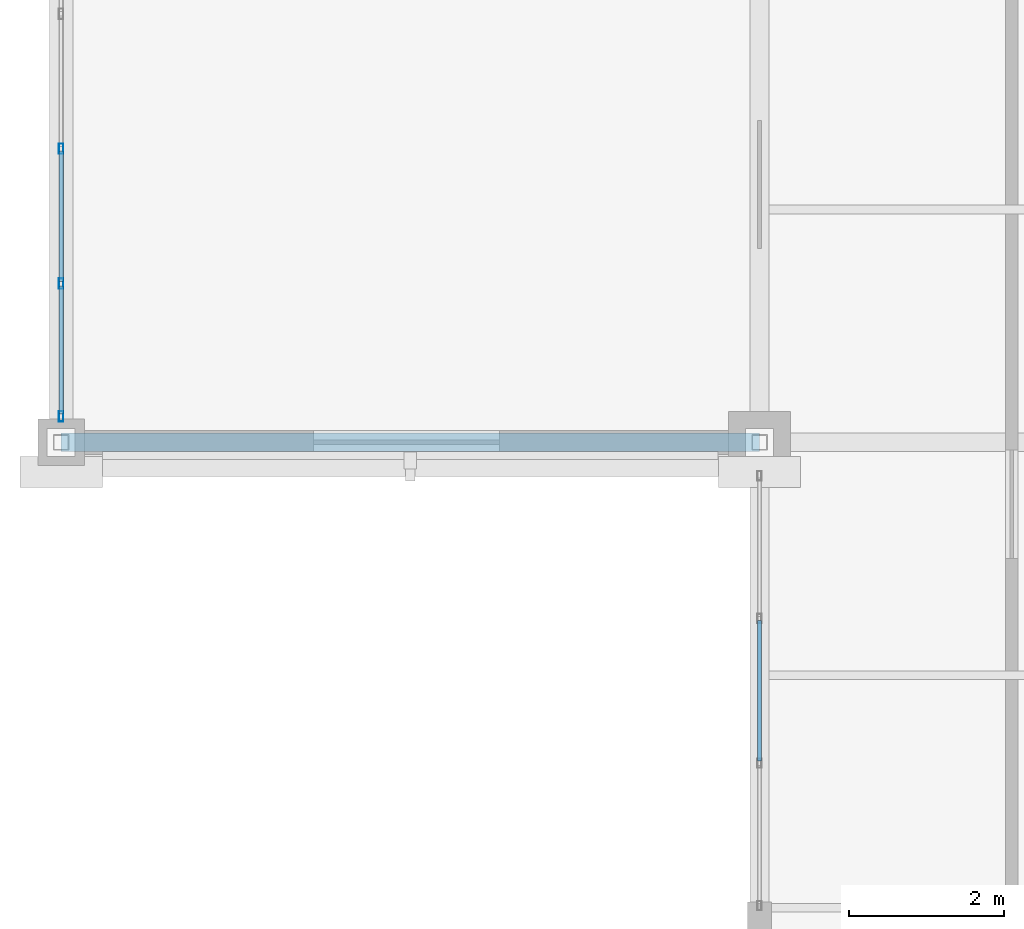
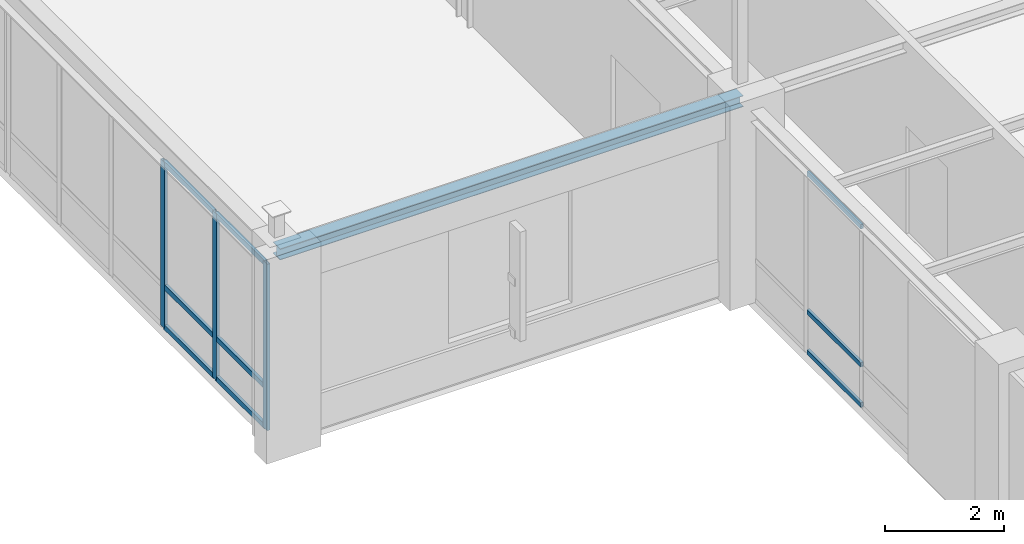
# One storey, part 6 of 36: 12 members, 1 beam, 2 elements without a shape of their own.
"""IFC4 building model written with IfcOpenShell, lengths in metres."""

from ifc_helpers import new_model, si_unit, direction, frame, origin, origin_2d, place, context, subcontext, project, spatial, hollow_rectangle, i_section, extrude, material, material_profile, profile_set, type_object, element, aggregate, save


model = new_model("IFC4")

# Units and contexts
model_context = context("Model", 3, precision=1e-05, world=origin(), true_north=direction((0.0, 1.0)))
body_context = subcontext(model_context, "Body", "Model", "MODEL_VIEW")
ifc_project = project(units=[si_unit("LENGTHUNIT", "METRE"), si_unit("AREAUNIT", "SQUARE_METRE"), si_unit("VOLUMEUNIT", "CUBIC_METRE"), si_unit("PLANEANGLEUNIT", "RADIAN"), si_unit("MASSUNIT", "GRAM", prefix="KILO")], contexts=[model_context])

# Site, building, storey
site_placement = place(None, origin())
site = spatial("IfcSite", under=ifc_project, at=site_placement, CompositionType="ELEMENT")
building_placement = place(site_placement, origin())
building = spatial("IfcBuilding", under=site, at=building_placement, Name="Lykobir Media Centre", CompositionType="ELEMENT")
storey_placement = place(building_placement, frame((0.0, 0.0, 27.60009765625)))
storey = spatial("IfcBuildingStorey", under=building, at=storey_placement, Name="L06", CompositionType="ELEMENT", Elevation=27.60009765625)

# Curtain wall, members
ifc_material_1 = material(Name="Anodized Aluminium AW-6060", Category="aluminium")
curtain_wall_type_1 = type_object("IfcCurtainWallType", Name="CW-PAV-V3", PredefinedType="NOTDEFINED", material=ifc_material_1)
curtain_wall_1_placement = place(storey_placement, origin())
curtain_wall_1 = element("IfcCurtainWall", 1, at=curtain_wall_1_placement, inside=storey, type_object=curtain_wall_type_1, Name="Curtain wall CW2-L06-0213", PredefinedType="NOTDEFINED")
ifc_material_profile_1 = material_profile(ifc_material_1, hollow_rectangle(XDim=0.06005859375, YDim=0.135009765625, WallThickness=0.00341796875, at=origin_2d()), Name="ALU MULLION 60x135")
ifc_profile_set_1 = profile_set([ifc_material_profile_1], Name="Anodized Aluminium AW-6060")
member_type_1 = type_object("IfcMemberType", Name="CWM-135", PredefinedType="MULLION", material=ifc_profile_set_1)
member_1_placement = place(storey_placement, frame((18.0, 27.3349609375, 0.0), z_axis=(0.0, 0.0, 1.0), x_axis=(-1.0, 0.0, 0.0)))
member_1 = element("IfcMember", 2, at=member_1_placement, type_object=member_type_1, Name="CW2-L06-0213 mullion 1", PredefinedType="MULLION", context=body_context, shape_type="SweptSolid", body=[
    extrude(hollow_rectangle(XDim=0.06005859375, YDim=0.135009765625, WallThickness=0.00341796875, at=origin_2d()), origin(), (0.0, 0.0, 1.0), 3.414794921875),
])
member_2_placement = place(storey_placement, frame((18.0, 29.0439453125, 0.0), z_axis=(0.0, 0.0, 1.0), x_axis=(-1.0, 0.0, 0.0)))
member_2 = element("IfcMember", 3, at=member_2_placement, type_object=member_type_1, Name="CW2-L06-0213 mullion 2", PredefinedType="MULLION", context=body_context, shape_type="SweptSolid", body=[
    extrude(hollow_rectangle(XDim=0.06005859375, YDim=0.135009765625, WallThickness=0.00341796875, at=origin_2d()), origin(), (0.0, 0.0, 1.0), 3.414794921875),
])
member_3_placement = place(storey_placement, frame((18.0, 30.782958984375, 0.0), z_axis=(0.0, 0.0, 1.0), x_axis=(-1.0, 0.0, 0.0)))
member_3 = element("IfcMember", 4, at=member_3_placement, type_object=member_type_1, Name="CW2-L06-0213 mullion 3", PredefinedType="MULLION", context=body_context, shape_type="SweptSolid", body=[
    extrude(hollow_rectangle(XDim=0.06005859375, YDim=0.135009765625, WallThickness=0.00341796875, at=origin_2d()), origin(), (0.0, 0.0, 1.0), 3.414794921875),
])

curtain_wall_type_2 = type_object("IfcCurtainWallType", Name="CW-COURT-B", PredefinedType="NOTDEFINED", material=ifc_material_1)
curtain_wall_2_placement = place(storey_placement, origin())
curtain_wall_2 = element("IfcCurtainWall", 5, at=curtain_wall_2_placement, inside=storey, type_object=curtain_wall_type_2, Name="Curtain wall CW2-L06-0215", PredefinedType="NOTDEFINED")
ifc_material_profile_2 = material_profile(ifc_material_1, hollow_rectangle(XDim=0.054931640625, YDim=0.094970703125, WallThickness=0.0029296875, at=origin_2d()), Name="ALU TRANSOM 55x95")
ifc_profile_set_2 = profile_set([ifc_material_profile_2], Name="Anodized Aluminium AW-6060")
member_type_2 = type_object("IfcMemberType", Name="CWT-095", PredefinedType="USERDEFINED", material=ifc_profile_set_2)
member_4_placement = place(storey_placement, frame((27.0, 22.892578125, 0.02734375), z_axis=(0.0, 1.0, 0.0), x_axis=(-1.0, 0.0, 0.0)))
member_4 = element("IfcMember", 6, at=member_4_placement, type_object=member_type_2, Name="CW2-L06-0215 transom 2.1", ObjectType="TRANSOM", PredefinedType="USERDEFINED", context=body_context, shape_type="SweptSolid", body=[
    extrude(hollow_rectangle(XDim=0.054931640625, YDim=0.094970703125, WallThickness=0.0029296875, at=origin_2d()), origin(), (0.0, 0.0, 1.0), 1.809814453125),
])
member_5_placement = place(storey_placement, frame((27.0, 22.892578125, 0.849853515625), z_axis=(0.0, 1.0, 0.0), x_axis=(-1.0, 0.0, 0.0)))
member_5 = element("IfcMember", 7, at=member_5_placement, type_object=member_type_2, Name="CW2-L06-0215 transom 2.2", ObjectType="TRANSOM", PredefinedType="USERDEFINED", context=body_context, shape_type="SweptSolid", body=[
    extrude(hollow_rectangle(XDim=0.054931640625, YDim=0.094970703125, WallThickness=0.0029296875, at=origin_2d()), origin(), (0.0, 0.0, 1.0), 1.809814453125),
])
member_6_placement = place(storey_placement, frame((27.0, 22.892578125, 3.6875), z_axis=(0.0, 1.0, 0.0), x_axis=(-1.0, 0.0, 0.0)))
member_6 = element("IfcMember", 8, at=member_6_placement, type_object=member_type_2, Name="CW2-L06-0215 transom 2.3", ObjectType="TRANSOM", PredefinedType="USERDEFINED", context=body_context, shape_type="SweptSolid", body=[
    extrude(hollow_rectangle(XDim=0.054931640625, YDim=0.094970703125, WallThickness=0.0029296875, at=origin_2d()), origin(), (0.0, 0.0, 1.0), 1.809814453125),
])
aggregate(curtain_wall_2, [member_4, member_5, member_6])

# Member
ifc_material_profile_3 = material_profile(ifc_material_1, hollow_rectangle(XDim=0.06005859375, YDim=0.10498046875, WallThickness=0.0029296875, at=origin_2d()), Name="ALU TRANSOM 60x105")
ifc_profile_set_3 = profile_set([ifc_material_profile_3], Name="Anodized Aluminium AW-6060")
member_type_3 = type_object("IfcMemberType", Name="CWT-105", PredefinedType="USERDEFINED", material=ifc_profile_set_3)
member_7_placement = place(storey_placement, frame((18.0, 27.364990234375, 0.02978515625), z_axis=(0.0, 1.0, 0.0), x_axis=(-1.0, 0.0, 0.0)))
member_7 = element("IfcMember", 9, at=member_7_placement, type_object=member_type_3, Name="CW2-L06-0213 transom 1.1", ObjectType="TRANSOM", PredefinedType="USERDEFINED", context=body_context, shape_type="SweptSolid", body=[
    extrude(hollow_rectangle(XDim=0.06005859375, YDim=0.10498046875, WallThickness=0.0029296875, at=origin_2d()), origin(), (0.0, 0.0, 1.0), 1.64892578125),
])

member_8_placement = place(storey_placement, frame((18.0, 27.364990234375, 0.849853515625), z_axis=(0.0, 1.0, 0.0), x_axis=(-1.0, 0.0, 0.0)))
member_8 = element("IfcMember", 10, at=member_8_placement, type_object=member_type_3, Name="CW2-L06-0213 transom 1.2", ObjectType="TRANSOM", PredefinedType="USERDEFINED", context=body_context, shape_type="SweptSolid", body=[
    extrude(hollow_rectangle(XDim=0.06005859375, YDim=0.10498046875, WallThickness=0.0029296875, at=origin_2d()), origin(), (0.0, 0.0, 1.0), 1.64892578125),
])

member_9_placement = place(storey_placement, frame((18.0, 27.364990234375, 3.385009765625), z_axis=(0.0, 1.0, 0.0), x_axis=(-1.0, 0.0, 0.0)))
member_9 = element("IfcMember", 11, at=member_9_placement, type_object=member_type_3, Name="CW2-L06-0213 transom 1.3", ObjectType="TRANSOM", PredefinedType="USERDEFINED", context=body_context, shape_type="SweptSolid", body=[
    extrude(hollow_rectangle(XDim=0.06005859375, YDim=0.10498046875, WallThickness=0.0029296875, at=origin_2d()), origin(), (0.0, 0.0, 1.0), 1.64892578125),
])

member_10_placement = place(storey_placement, frame((18.0, 29.073974609375, 0.02978515625), z_axis=(0.0, 1.0, 0.0), x_axis=(-1.0, 0.0, 0.0)))
member_10 = element("IfcMember", 12, at=member_10_placement, type_object=member_type_3, Name="CW2-L06-0213 transom 2.1", ObjectType="TRANSOM", PredefinedType="USERDEFINED", context=body_context, shape_type="SweptSolid", body=[
    extrude(hollow_rectangle(XDim=0.06005859375, YDim=0.10498046875, WallThickness=0.0029296875, at=origin_2d()), origin(), (0.0, 0.0, 1.0), 1.678955078125),
])

member_11_placement = place(storey_placement, frame((18.0, 29.073974609375, 0.849853515625), z_axis=(0.0, 1.0, 0.0), x_axis=(-1.0, 0.0, 0.0)))
member_11 = element("IfcMember", 13, at=member_11_placement, type_object=member_type_3, Name="CW2-L06-0213 transom 2.2", ObjectType="TRANSOM", PredefinedType="USERDEFINED", context=body_context, shape_type="SweptSolid", body=[
    extrude(hollow_rectangle(XDim=0.06005859375, YDim=0.10498046875, WallThickness=0.0029296875, at=origin_2d()), origin(), (0.0, 0.0, 1.0), 1.678955078125),
])

member_12_placement = place(storey_placement, frame((18.0, 29.073974609375, 3.385009765625), z_axis=(0.0, 1.0, 0.0), x_axis=(-1.0, 0.0, 0.0)))
member_12 = element("IfcMember", 14, at=member_12_placement, type_object=member_type_3, Name="CW2-L06-0213 transom 2.3", ObjectType="TRANSOM", PredefinedType="USERDEFINED", context=body_context, shape_type="SweptSolid", body=[
    extrude(hollow_rectangle(XDim=0.06005859375, YDim=0.10498046875, WallThickness=0.0029296875, at=origin_2d()), origin(), (0.0, 0.0, 1.0), 1.678955078125),
])

aggregate(curtain_wall_1, [member_1, member_2, member_3, member_7, member_8, member_9, member_10, member_11, member_12])

# Beam
ifc_material_2 = material(Name="Steel S355", Category="steel")
ifc_material_profile_4 = material_profile(ifc_material_2, i_section(OverallWidth=0.239990234375, OverallDepth=0.22998046875, WebThickness=0.007568359375, FlangeThickness=0.011962890625, at=origin_2d()), Name="HEA 240")
ifc_profile_set_4 = profile_set([ifc_material_profile_4], Name="Steel S355")
beam_type = type_object("IfcBeamType", Name="SP-HEA240", PredefinedType="SPANDREL", material=ifc_profile_set_4)
beam_placement = place(storey_placement, frame((18.0, 27.0, 3.843017578125), z_axis=(1.0, 0.0, 0.0), x_axis=(0.0, 1.0, 0.0)))
element("IfcBeam", 15, at=beam_placement, inside=storey, type_object=beam_type, Name="Beam BM-L06-0180-0270-0270-0270-3146", PredefinedType="SPANDREL", context=body_context, shape_type="SweptSolid", body=[
    extrude(i_section(OverallWidth=0.239990234375, OverallDepth=0.22998046875, WebThickness=0.007568359375, FlangeThickness=0.011962890625, at=origin_2d()), origin(), (0.0, 0.0, 1.0), 9.0),
])

save(model, "model.ifc")
